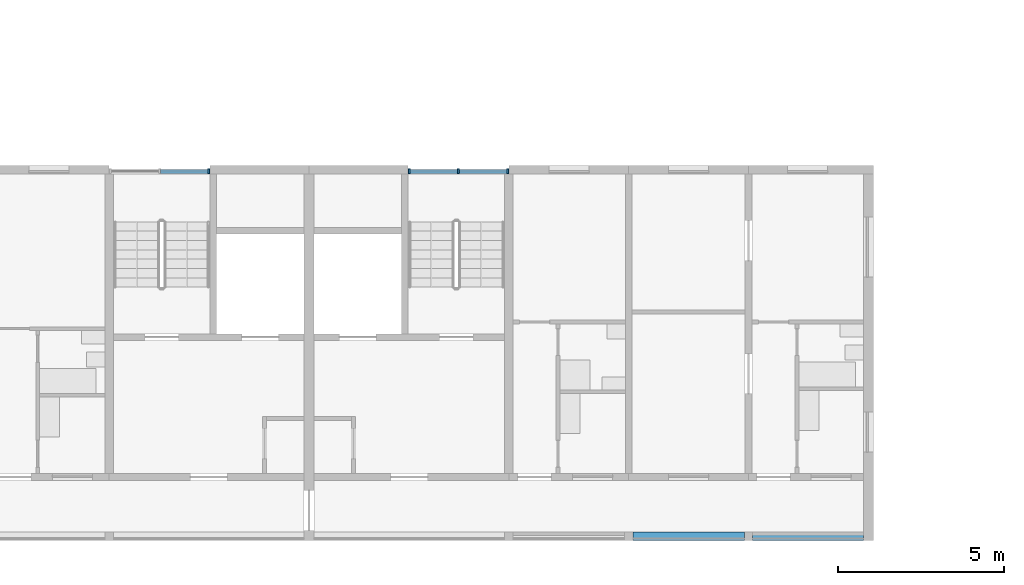
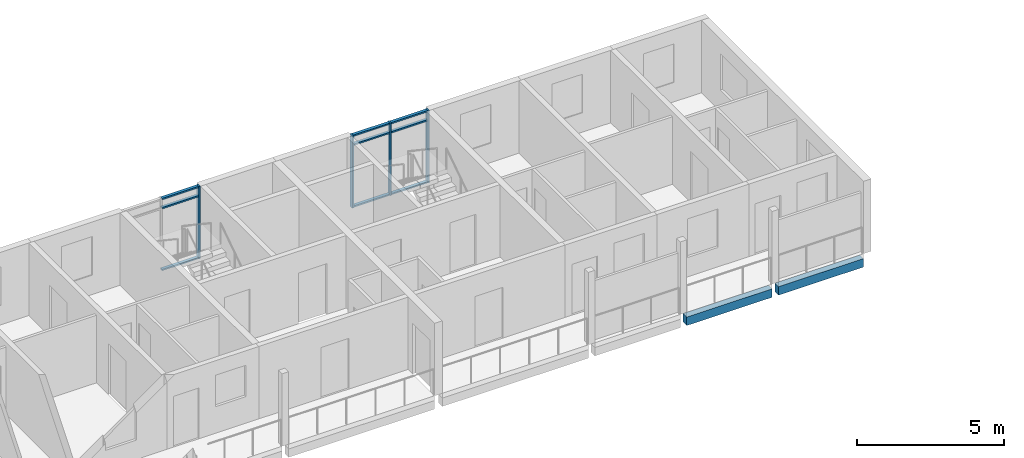
# One storey, part 10 of 87: 13 members, 2 beams, 2 elements without a shape of their own.
"""IFC4 building model written with IfcOpenShell, lengths in metres."""

from ifc_helpers import new_model, si_unit, direction, frame, origin, origin_2d, place, context, subcontext, project, spatial, rectangle, extrude, material, material_profile, profile_set, type_object, element, aggregate, save


model = new_model("IFC4")

# Units and contexts
model_context = context("Model", 3, precision=1e-05, world=origin(), true_north=direction((0.0, 1.0)))
body_context = subcontext(model_context, "Body", "Model", "MODEL_VIEW")
ifc_project = project(units=[si_unit("LENGTHUNIT", "METRE"), si_unit("AREAUNIT", "SQUARE_METRE"), si_unit("VOLUMEUNIT", "CUBIC_METRE"), si_unit("PLANEANGLEUNIT", "RADIAN"), si_unit("MASSUNIT", "GRAM", prefix="KILO")], contexts=[model_context])

# Site, building, storey
site_placement = place(None, origin())
site = spatial("IfcSite", under=ifc_project, at=site_placement, CompositionType="ELEMENT")
building_placement = place(site_placement, origin())
building = spatial("IfcBuilding", under=site, at=building_placement, Name="Ridgestep Commons", CompositionType="ELEMENT")
storey_placement = place(building_placement, frame((0.0, 0.0, 27.0)))
storey = spatial("IfcBuildingStorey", under=building, at=storey_placement, Name="L09", CompositionType="ELEMENT", Elevation=27.0)

# Beams
ifc_material_1 = material(Name="Precast concrete C40/50", Category="concrete")
ifc_material_profile_1 = material_profile(ifc_material_1, rectangle(XDim=0.25, YDim=0.35009765625, at=origin_2d()), Name="PC 250x350")
ifc_profile_set_1 = profile_set([ifc_material_profile_1], Name="Precast concrete C40/50")
beam_type = type_object("IfcBeamType", Name="Loggia edge beam 250 x 350", PredefinedType="SPANDREL", material=ifc_profile_set_1)
beam_1_placement = place(storey_placement, frame((105.72509765625, 11.875, -0.375), z_axis=(1.0, 0.0, 0.0), x_axis=(0.0, 1.0, 0.0)))
element("IfcBeam", 1, at=beam_1_placement, inside=storey, type_object=beam_type, Name="Loggia edge beam A6T2 L09", PredefinedType="SPANDREL", context=body_context, shape_type="SweptSolid", body=[
    extrude(rectangle(XDim=0.25, YDim=0.35009765625, at=origin_2d()), origin(), (0.0, 0.0, 1.0), 3.349853515625),
])
beam_2_placement = place(storey_placement, frame((109.324951171875, 11.875, -0.375), z_axis=(1.0, 0.0, 0.0), x_axis=(0.0, 1.0, 0.0)))
element("IfcBeam", 2, at=beam_2_placement, inside=storey, type_object=beam_type, Name="Loggia edge beam A6T1 L09", PredefinedType="SPANDREL", context=body_context, shape_type="SweptSolid", body=[
    extrude(rectangle(XDim=0.25, YDim=0.35009765625, at=origin_2d()), origin(), (0.0, 0.0, 1.0), 3.324951171875),
])

# Curtain wall, member
ifc_material_2 = material(Name="Aluminium 6063-T6 and glass", Category="aluminium")
curtain_wall_type = type_object("IfcCurtainWallType", Name="Curtain wall stair strip", PredefinedType="NOTDEFINED", material=ifc_material_2)
curtain_wall_1_placement = place(storey_placement, origin())
curtain_wall_1 = element("IfcCurtainWall", 3, at=curtain_wall_1_placement, inside=storey, type_object=curtain_wall_type, Name="Curtain wall A5C level 09", PredefinedType="NOTDEFINED")
ifc_material_3 = material(Name="Aluminium 6063-T6", Category="aluminium")
ifc_material_profile_2 = material_profile(ifc_material_3, rectangle(XDim=0.159912109375, YDim=0.06005859375, at=origin_2d()), Name="Mullion 60 x 160")
ifc_profile_set_2 = profile_set([ifc_material_profile_2], Name="Aluminium 6063-T6")
member_type_1 = type_object("IfcMemberType", Name="Mullion 60 x 160", PredefinedType="MULLION", material=ifc_profile_set_2)
member_1_placement = place(storey_placement, frame((92.9951171875, 22.830078125, 0.0), z_axis=(0.0, 0.0, 1.0), x_axis=(0.0, 1.0, 0.0)))
member_1 = element("IfcMember", 4, at=member_1_placement, type_object=member_type_1, Name="CW1 mullion 3", PredefinedType="MULLION", context=body_context, shape_type="SweptSolid", body=[
    extrude(rectangle(XDim=0.159912109375, YDim=0.06005859375, at=origin_2d()), origin(), (0.0, 0.0, 1.0), 3.0),
])

# Curtain wall, members
curtain_wall_2_placement = place(storey_placement, origin())
curtain_wall_2 = element("IfcCurtainWall", 5, at=curtain_wall_2_placement, inside=storey, type_object=curtain_wall_type, Name="Curtain wall A6C level 09", PredefinedType="NOTDEFINED")
member_2_placement = place(storey_placement, frame((99.0048828125, 22.830078125, 0.0), z_axis=(0.0, 0.0, 1.0), x_axis=(0.0, 1.0, 0.0)))
member_2 = element("IfcMember", 6, at=member_2_placement, type_object=member_type_1, Name="CW1 mullion 1", PredefinedType="MULLION", context=body_context, shape_type="SweptSolid", body=[
    extrude(rectangle(XDim=0.159912109375, YDim=0.06005859375, at=origin_2d()), origin(), (0.0, 0.0, 1.0), 3.0),
])
member_3_placement = place(storey_placement, frame((100.487548828125, 22.830078125, 0.0), z_axis=(0.0, 0.0, 1.0), x_axis=(0.0, 1.0, 0.0)))
member_3 = element("IfcMember", 7, at=member_3_placement, type_object=member_type_1, Name="CW1 mullion 2", PredefinedType="MULLION", context=body_context, shape_type="SweptSolid", body=[
    extrude(rectangle(XDim=0.159912109375, YDim=0.06005859375, at=origin_2d()), origin(), (0.0, 0.0, 1.0), 3.0),
])
member_4_placement = place(storey_placement, frame((101.969970703125, 22.830078125, 0.0), z_axis=(0.0, 0.0, 1.0), x_axis=(0.0, 1.0, 0.0)))
member_4 = element("IfcMember", 8, at=member_4_placement, type_object=member_type_1, Name="CW1 mullion 3", PredefinedType="MULLION", context=body_context, shape_type="SweptSolid", body=[
    extrude(rectangle(XDim=0.159912109375, YDim=0.06005859375, at=origin_2d()), origin(), (0.0, 0.0, 1.0), 3.0),
])

# Member
ifc_material_4 = material(Name="Aluminium 6063-T6", Category="aluminium")
ifc_material_profile_3 = material_profile(ifc_material_4, rectangle(XDim=0.1201171875, YDim=0.06005859375, at=origin_2d()), Name="Transom 60 x 120")
ifc_profile_set_3 = profile_set([ifc_material_profile_3], Name="Aluminium 6063-T6")
member_type_2 = type_object("IfcMemberType", Name="Transom 60 x 120", PredefinedType="USERDEFINED", material=ifc_profile_set_3)
member_5_placement = place(storey_placement, frame((91.54248046875, 22.830078125, 0.030029296875), z_axis=(1.0, 0.0, 0.0), x_axis=(0.0, 1.0, 0.0)))
member_5 = element("IfcMember", 9, at=member_5_placement, type_object=member_type_2, Name="CW1 transom 2.1", ObjectType="TRANSOM", PredefinedType="USERDEFINED", context=body_context, shape_type="SweptSolid", body=[
    extrude(rectangle(XDim=0.1201171875, YDim=0.06005859375, at=origin_2d()), origin(), (0.0, 0.0, 1.0), 1.422607421875),
])

member_6_placement = place(storey_placement, frame((91.54248046875, 22.830078125, 2.590087890625), z_axis=(1.0, 0.0, 0.0), x_axis=(0.0, 1.0, 0.0)))
member_6 = element("IfcMember", 10, at=member_6_placement, type_object=member_type_2, Name="CW1 transom 2.2", ObjectType="TRANSOM", PredefinedType="USERDEFINED", context=body_context, shape_type="SweptSolid", body=[
    extrude(rectangle(XDim=0.1201171875, YDim=0.06005859375, at=origin_2d()), origin(), (0.0, 0.0, 1.0), 1.422607421875),
])

member_7_placement = place(storey_placement, frame((91.54248046875, 22.830078125, 2.969970703125), z_axis=(1.0, 0.0, 0.0), x_axis=(0.0, 1.0, 0.0)))
member_7 = element("IfcMember", 11, at=member_7_placement, type_object=member_type_2, Name="CW1 transom 2.3", ObjectType="TRANSOM", PredefinedType="USERDEFINED", context=body_context, shape_type="SweptSolid", body=[
    extrude(rectangle(XDim=0.1201171875, YDim=0.06005859375, at=origin_2d()), origin(), (0.0, 0.0, 1.0), 1.422607421875),
])

aggregate(curtain_wall_1, [member_1, member_5, member_6, member_7])

member_8_placement = place(storey_placement, frame((99.034912109375, 22.830078125, 0.030029296875), z_axis=(1.0, 0.0, 0.0), x_axis=(0.0, 1.0, 0.0)))
member_8 = element("IfcMember", 12, at=member_8_placement, type_object=member_type_2, Name="CW1 transom 1.1", ObjectType="TRANSOM", PredefinedType="USERDEFINED", context=body_context, shape_type="SweptSolid", body=[
    extrude(rectangle(XDim=0.1201171875, YDim=0.06005859375, at=origin_2d()), origin(), (0.0, 0.0, 1.0), 1.422607421875),
])

member_9_placement = place(storey_placement, frame((99.034912109375, 22.830078125, 2.590087890625), z_axis=(1.0, 0.0, 0.0), x_axis=(0.0, 1.0, 0.0)))
member_9 = element("IfcMember", 13, at=member_9_placement, type_object=member_type_2, Name="CW1 transom 1.2", ObjectType="TRANSOM", PredefinedType="USERDEFINED", context=body_context, shape_type="SweptSolid", body=[
    extrude(rectangle(XDim=0.1201171875, YDim=0.06005859375, at=origin_2d()), origin(), (0.0, 0.0, 1.0), 1.422607421875),
])

member_10_placement = place(storey_placement, frame((99.034912109375, 22.830078125, 2.969970703125), z_axis=(1.0, 0.0, 0.0), x_axis=(0.0, 1.0, 0.0)))
member_10 = element("IfcMember", 14, at=member_10_placement, type_object=member_type_2, Name="CW1 transom 1.3", ObjectType="TRANSOM", PredefinedType="USERDEFINED", context=body_context, shape_type="SweptSolid", body=[
    extrude(rectangle(XDim=0.1201171875, YDim=0.06005859375, at=origin_2d()), origin(), (0.0, 0.0, 1.0), 1.422607421875),
])

member_11_placement = place(storey_placement, frame((100.517578125, 22.830078125, 0.030029296875), z_axis=(1.0, 0.0, 0.0), x_axis=(0.0, 1.0, 0.0)))
member_11 = element("IfcMember", 15, at=member_11_placement, type_object=member_type_2, Name="CW1 transom 2.1", ObjectType="TRANSOM", PredefinedType="USERDEFINED", context=body_context, shape_type="SweptSolid", body=[
    extrude(rectangle(XDim=0.1201171875, YDim=0.06005859375, at=origin_2d()), origin(), (0.0, 0.0, 1.0), 1.42236328125),
])

member_12_placement = place(storey_placement, frame((100.517578125, 22.830078125, 2.590087890625), z_axis=(1.0, 0.0, 0.0), x_axis=(0.0, 1.0, 0.0)))
member_12 = element("IfcMember", 16, at=member_12_placement, type_object=member_type_2, Name="CW1 transom 2.2", ObjectType="TRANSOM", PredefinedType="USERDEFINED", context=body_context, shape_type="SweptSolid", body=[
    extrude(rectangle(XDim=0.1201171875, YDim=0.06005859375, at=origin_2d()), origin(), (0.0, 0.0, 1.0), 1.42236328125),
])

member_13_placement = place(storey_placement, frame((100.517578125, 22.830078125, 2.969970703125), z_axis=(1.0, 0.0, 0.0), x_axis=(0.0, 1.0, 0.0)))
member_13 = element("IfcMember", 17, at=member_13_placement, type_object=member_type_2, Name="CW1 transom 2.3", ObjectType="TRANSOM", PredefinedType="USERDEFINED", context=body_context, shape_type="SweptSolid", body=[
    extrude(rectangle(XDim=0.1201171875, YDim=0.06005859375, at=origin_2d()), origin(), (0.0, 0.0, 1.0), 1.42236328125),
])

aggregate(curtain_wall_2, [member_2, member_3, member_4, member_8, member_9, member_10, member_11, member_12, member_13])

save(model, "model.ifc")
